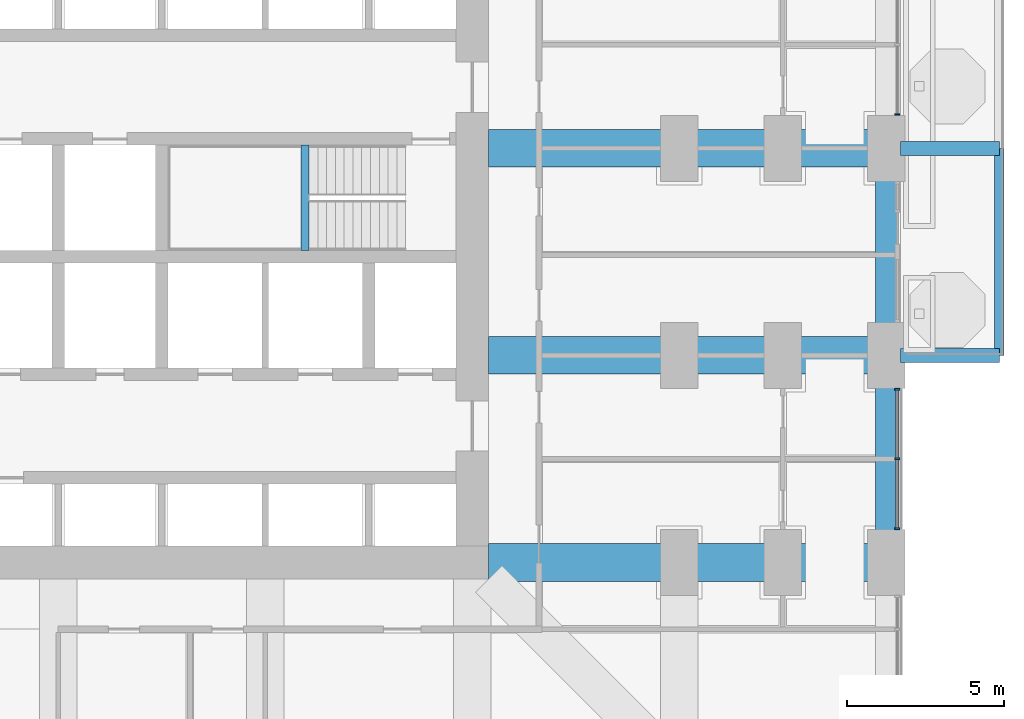
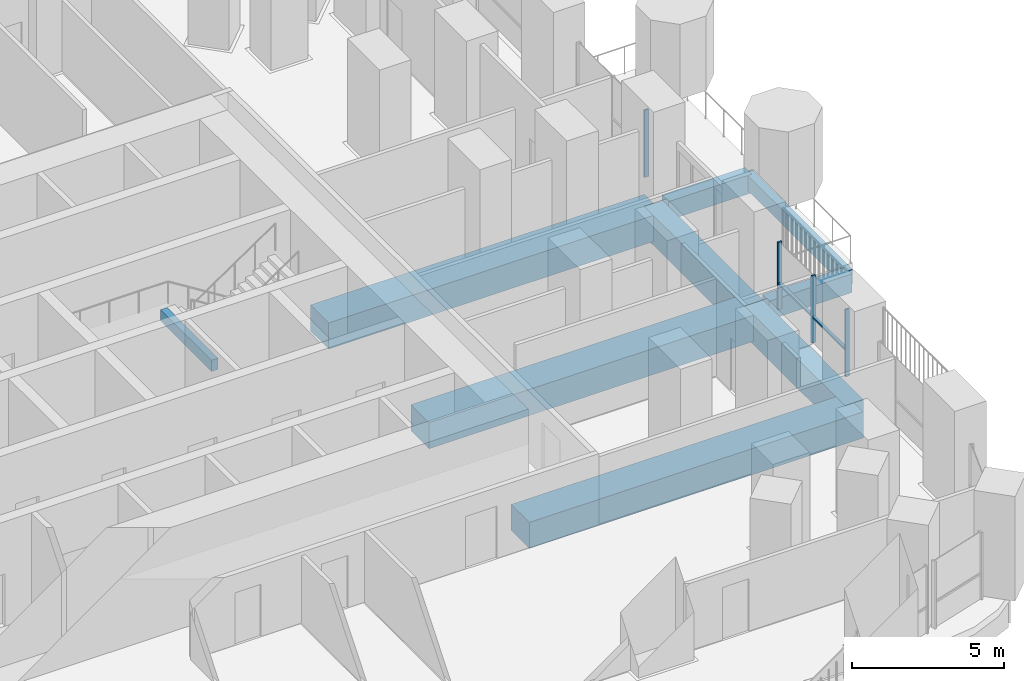
# One storey, part 5 of 26: 9 beams, 6 members, 2 elements without a shape of their own.
"""IFC4 building model written with IfcOpenShell, lengths in metres."""

import ifcopenshell
import ifcopenshell.guid

model = None  # the IFC model being written
_history = None  # IfcOwnerHistory: only IFC2X3 demands one
_inside = {}  # id of a spatial element -> (the spatial element, [elements in it])
_under = {}  # id of a project, library or spatial element -> (it, [spatial elements below it])
_declared = {}  # id of a project -> (the project, [libraries it declares])
_typed = {}  # id of a type object -> (the type object, [elements of that type])
_made_of = {}  # id of a material, layer set ... -> (it, [elements and type objects made of it])


def new_model(schema):
    """Start an empty IFC model of exactly this schema.

    Asked for "IFC4X3", IfcOpenShell would pick the latest addendum, in which some entities
    have other attributes; the version numbers below select the first issue.
    IFC2X3 requires an IfcOwnerHistory on every rooted entity: one is made here for all.
    """
    global model, _history
    if schema == "IFC4X3":
        model = ifcopenshell.file(schema_version=(4, 3, 0, 0))
    else:
        model = ifcopenshell.file(schema=schema)
    _inside.clear()
    _under.clear()
    _declared.clear()
    _typed.clear()
    _made_of.clear()
    _history = None
    if model.schema == "IFC2X3":
        org = make("IfcOrganization", Name="unknown")
        user = make(
            "IfcPersonAndOrganization",
            ThePerson=make("IfcPerson", FamilyName="unknown"),
            TheOrganization=org,
        )
        app = make(
            "IfcApplication",
            ApplicationDeveloper=org,
            Version="unknown",
            ApplicationFullName="unknown",
            ApplicationIdentifier="unknown",
        )
        _history = make(
            "IfcOwnerHistory",
            OwningUser=user,
            OwningApplication=app,
            ChangeAction="ADDED",
            CreationDate=0,
        )
    return model


def make(cls, **values):
    """One entity of the class cls with the attributes given. An attribute that is None is left unset."""
    return model.create_entity(
        cls, **{name: value for name, value in values.items() if value is not None}
    )


def rooted(cls, **values):
    """An entity with a GlobalId (a new one), such as an element, a storey or a relation."""
    return make(cls, GlobalId=ifcopenshell.guid.new(), OwnerHistory=_history, **values)


def si_unit(unit_type, name, prefix=None):
    """IfcSIUnit, for example si_unit("LENGTHUNIT", "METRE", prefix="MILLI")."""
    return make("IfcSIUnit", UnitType=unit_type, Prefix=prefix, Name=name)


def assignment(units):
    """IfcUnitAssignment: the units of a project."""
    return None if units is None else make("IfcUnitAssignment", Units=units)


def point(xyz):
    """IfcCartesianPoint."""
    return None if xyz is None else make("IfcCartesianPoint", Coordinates=xyz)


def direction(xyz):
    """IfcDirection."""
    return None if xyz is None else make("IfcDirection", DirectionRatios=xyz)


def frame(location, z_axis=None, x_axis=None):
    """IfcAxis2Placement3D, a coordinate frame: its origin and axes. An axis left out is left unset."""
    return make(
        "IfcAxis2Placement3D",
        Location=point(location),
        Axis=direction(z_axis),
        RefDirection=direction(x_axis),
    )


def frame_2d(location, x_axis=None):
    """IfcAxis2Placement2D, a coordinate frame in the plane: its origin and x axis."""
    return make(
        "IfcAxis2Placement2D", Location=point(location), RefDirection=direction(x_axis)
    )


def origin():
    """The frame at (0, 0, 0) with its axes left unset."""
    return frame((0.0, 0.0, 0.0))


def origin_2d():
    """The frame at (0, 0) in the plane with its x axis left unset."""
    return frame_2d((0.0, 0.0))


def place(relative_to, where):
    """IfcLocalPlacement: puts the frame where relative to a parent placement (None: the world)."""
    return make(
        "IfcLocalPlacement", PlacementRelTo=relative_to, RelativePlacement=where
    )


def context(
    kind, dimensions, precision=None, world=None, true_north=None, identifier=None
):
    """IfcGeometricRepresentationContext, for example the 3D "Model" context."""
    return make(
        "IfcGeometricRepresentationContext",
        ContextIdentifier=identifier,
        ContextType=kind,
        CoordinateSpaceDimension=dimensions,
        Precision=precision,
        WorldCoordinateSystem=world,
        TrueNorth=true_north,
    )


def subcontext(parent, identifier, kind, view, scale=None):
    """IfcGeometricRepresentationSubContext, for example "Body" below "Model"."""
    return make(
        "IfcGeometricRepresentationSubContext",
        ContextIdentifier=identifier,
        ContextType=kind,
        ParentContext=parent,
        TargetScale=scale,
        TargetView=view,
    )


def project(units=None, contexts=None):
    """IfcProject with its units and contexts."""
    return rooted(
        "IfcProject",
        Name="project",
        RepresentationContexts=contexts,
        UnitsInContext=assignment(units),
    )


def spatial(cls, under=None, at=None, **own):
    """A site, building, storey or space (cls), placed at a placement, below another one or the project."""
    s = rooted(cls, ObjectPlacement=at, **own)
    if under is not None:
        _under.setdefault(under.id(), (under, []))[1].append(s)
    return s


def profile(cls, at=None, kind="AREA", **sizes):
    """A parametric profile (cls). Its sizes go by their IFC names, for example OverallWidth=200.0."""
    return make(cls, ProfileType=kind, Position=at, **sizes)


def rectangle(**sizes):
    """IfcRectangleProfileDef."""
    return profile("IfcRectangleProfileDef", **sizes)


def extrude(swept, where, along, depth):
    """IfcExtrudedAreaSolid: the profile swept, set in the frame where, extruded along a direction by depth."""
    return make(
        "IfcExtrudedAreaSolid",
        SweptArea=swept,
        Position=where,
        ExtrudedDirection=direction(along),
        Depth=depth,
    )


def shape(context_of_items, identifier, shape_type, items):
    """IfcShapeRepresentation: the items that make up one representation, for example the "Body"."""
    return make(
        "IfcShapeRepresentation",
        ContextOfItems=context_of_items,
        RepresentationIdentifier=identifier,
        RepresentationType=shape_type,
        Items=items,
    )


def material(Name=None, Category=None):
    """IfcMaterial."""
    return make("IfcMaterial", Name=Name, Category=Category)


def material_profile(
    of_material, cross_section, Name=None, Category=None, Priority=None
):
    """IfcMaterialProfile: a cross section and its material."""
    return make(
        "IfcMaterialProfile",
        Name=Name,
        Material=of_material,
        Profile=cross_section,
        Priority=Priority,
        Category=Category,
    )


def profile_set(profiles, Name=None, composite=None):
    """IfcMaterialProfileSet."""
    return make(
        "IfcMaterialProfileSet",
        Name=Name,
        MaterialProfiles=profiles,
        CompositeProfile=composite,
    )


def made_of(thing, what):
    """Note that an element or type object is made of a material, layer set ...; save() writes the relation."""
    if what is not None:
        _made_of.setdefault(what.id(), (what, []))[1].append(thing)
    return thing


def type_object(cls, material=None, **own):
    """A type object (cls), such as IfcWallType, which elements share."""
    return made_of(rooted(cls, **own), material)


def element(
    cls,
    number,
    at=None,
    inside=None,
    cuts=None,
    type_object=None,
    material=None,
    context=None,
    identifier="Body",
    shape_type=None,
    held_by="IfcProductDefinitionShape",
    body=None,
    shapes=None,
    **own,
):
    """One element of the class cls, such as IfcWall. Its Tag is "e" and its number.

    at: its placement. inside: the storey or other place that contains it. cuts: it is an
    opening in that element (IfcRelVoidsElement). A single representation is given by context,
    identifier, shape_type and body (its items); several are given by shapes. held_by: the class
    of the entity that holds the representations. save() writes the other relations.
    """
    e = rooted(cls, Tag="e%d" % number, ObjectPlacement=at, **own)
    if body is not None:
        shapes = [shape(context, identifier, shape_type, body)]
    if shapes is not None:
        e.Representation = make(held_by, Representations=shapes)
    if inside is not None:
        _inside.setdefault(inside.id(), (inside, []))[1].append(e)
    if cuts is not None:
        rooted(
            "IfcRelVoidsElement", RelatingBuildingElement=cuts, RelatedOpeningElement=e
        )
    if type_object is not None:
        _typed.setdefault(type_object.id(), (type_object, []))[1].append(e)
    return made_of(e, material)


def aggregate(whole, parts):
    """IfcRelAggregates: a whole, such as a stair, and the parts it consists of."""
    return rooted("IfcRelAggregates", RelatingObject=whole, RelatedObjects=parts)


def save(model, path):
    """Write the relations noted so far, then the file.

    IfcRelAggregates (storeys below a building ...), IfcRelContainedInSpatialStructure (elements
    in a storey), IfcRelDefinesByType, IfcRelAssociatesMaterial and IfcRelDeclares: one each for
    every whole, place, type object, material and project.
    """
    for whole, parts in _under.values():
        aggregate(whole, parts)
    for where, things in _inside.values():
        rooted(
            "IfcRelContainedInSpatialStructure",
            RelatedElements=things,
            RelatingStructure=where,
        )
    for kind, things in _typed.values():
        rooted("IfcRelDefinesByType", RelatedObjects=things, RelatingType=kind)
    for what, things in _made_of.values():
        rooted("IfcRelAssociatesMaterial", RelatedObjects=things, RelatingMaterial=what)
    for by, libraries in _declared.values():
        rooted("IfcRelDeclares", RelatingContext=by, RelatedDefinitions=libraries)
    model.write(path)


model = new_model("IFC4")

# Units and contexts
model_context = context("Model", 3, precision=1e-05, world=origin(), true_north=direction((0.0, 1.0)))
body_context = subcontext(model_context, "Body", "Model", "MODEL_VIEW")
ifc_project = project(units=[si_unit("LENGTHUNIT", "METRE"), si_unit("AREAUNIT", "SQUARE_METRE"), si_unit("VOLUMEUNIT", "CUBIC_METRE"), si_unit("PLANEANGLEUNIT", "RADIAN"), si_unit("MASSUNIT", "GRAM", prefix="KILO")], contexts=[model_context])

# Site, building, storey
site_placement = place(None, origin())
site = spatial("IfcSite", under=ifc_project, at=site_placement, CompositionType="ELEMENT")
building_placement = place(site_placement, origin())
building = spatial("IfcBuilding", under=site, at=building_placement, Name="Cobogo Forest Laboratory Tower", CompositionType="ELEMENT")
storey_placement = place(building_placement, frame((0.0, 0.0, 50.699951171875)))
storey = spatial("IfcBuildingStorey", under=building, at=storey_placement, Name="L11", CompositionType="ELEMENT", Elevation=50.699951171875)

# Beams
ifc_material_1 = material(Name="Concrete HA-40 (C40/50)", Category="concrete")
ifc_material_profile_1 = material_profile(ifc_material_1, rectangle(XDim=0.449951171875, YDim=0.75, at=origin_2d()), Name="RC 450x750")
ifc_profile_set_1 = profile_set([ifc_material_profile_1], Name="Concrete HA-40 (C40/50)")
beam_type_1 = type_object("IfcBeamType", Name="Balcony cantilever beam 450x750", PredefinedType="BEAM", material=ifc_profile_set_1)
for number, where, z_axis, x_axis, name in (
    (1, (53.25, 19.800048828125, -0.625), (1.0, 0.0, 0.0), (0.0, 1.0, 0.0), "CB1 BAL-E1-C1 L11"),
    (2, (53.25, 26.39990234375, -0.625), (1.0, 0.0, 0.0), (0.0, 1.0, 0.0), "CB1 BAL-E1-C2 L11"),
):
    element("IfcBeam", number, at=place(storey_placement, frame(where, z_axis=z_axis, x_axis=x_axis)), inside=storey, type_object=beam_type_1, Name=name, PredefinedType="BEAM", context=body_context, shape_type="SweptSolid", body=[
        extrude(rectangle(XDim=0.449951171875, YDim=0.75, at=origin_2d()), origin(), (0.0, 0.0, 1.0), 3.14990234375),
    ])
ifc_material_profile_2 = material_profile(ifc_material_1, rectangle(XDim=0.300048828125, YDim=0.60009765625, at=origin_2d()), Name="RC 300x600")
ifc_profile_set_2 = profile_set([ifc_material_profile_2], Name="Concrete HA-40 (C40/50)")
beam_type_2 = type_object("IfcBeamType", Name="Balcony edge beam 300x600", PredefinedType="BEAM", material=ifc_profile_set_2)
beam_1_placement = place(storey_placement, frame((56.39990234375, 19.800048828125, -0.550048828125), z_axis=(0.0, 1.0, 0.0), x_axis=(-1.0, 0.0, 0.0)))
element("IfcBeam", 3, at=beam_1_placement, inside=storey, type_object=beam_type_2, Name="BB1 BAL-E1-T1 L11", PredefinedType="BEAM", context=body_context, shape_type="SweptSolid", body=[
    extrude(rectangle(XDim=0.300048828125, YDim=0.60009765625, at=origin_2d()), origin(), (0.0, 0.0, 1.0), 6.599853515625),
])
ifc_material_profile_3 = material_profile(ifc_material_1, rectangle(XDim=0.25, YDim=0.449951171875, at=origin_2d()), Name="RC 250x450")
ifc_profile_set_3 = profile_set([ifc_material_profile_3], Name="Concrete HA-40 (C40/50)")
beam_type_3 = type_object("IfcBeamType", Name="LB1 landing beam 250x450", PredefinedType="BEAM", material=ifc_profile_set_3)
beam_2_placement = place(storey_placement, frame((34.27001953125, 23.14990234375, 1.675048828125), z_axis=(0.0, 1.0, 0.0), x_axis=(-1.0, 0.0, 0.0)))
element("IfcBeam", 4, at=beam_2_placement, inside=storey, type_object=beam_type_3, Name="Landing beam ST2 L11", PredefinedType="BEAM", context=body_context, shape_type="SweptSolid", body=[
    extrude(rectangle(XDim=0.25, YDim=0.449951171875, at=origin_2d()), origin(), (0.0, 0.0, 1.0), 3.35009765625),
])
ifc_material_profile_4 = material_profile(ifc_material_1, rectangle(XDim=1.199951171875, YDim=1.050048828125, at=origin_2d()), Name="RC 1200x1050")
ifc_profile_set_4 = profile_set([ifc_material_profile_4], Name="Concrete HA-40 (C40/50)")
beam_type_4 = type_object("IfcBeamType", Name="Laboratory floor wide beam 1200x1050", PredefinedType="BEAM", material=ifc_profile_set_4)
for number, where, z_axis, x_axis, name in (
    (5, (40.125, 13.199951171875, -0.824951171875), (1.0, 0.0, 0.0), (0.0, 1.0, 0.0), "RB1 R-C-E L11"),
    (6, (40.125, 19.800048828125, -0.824951171875), (1.0, 0.0, 0.0), (0.0, 1.0, 0.0), "RB1 R-D-E L11"),
    (7, (40.125, 26.39990234375, -0.824951171875), (1.0, 0.0, 0.0), (0.0, 1.0, 0.0), "RB1 R-E-E L11"),
):
    element("IfcBeam", number, at=place(storey_placement, frame(where, z_axis=z_axis, x_axis=x_axis)), inside=storey, type_object=beam_type_4, Name=name, PredefinedType="BEAM", context=body_context, shape_type="SweptSolid", body=[
        extrude(rectangle(XDim=1.199951171875, YDim=1.050048828125, at=origin_2d()), origin(), (0.0, 0.0, 1.0), 12.675048828125),
    ])

# Curtain wall, members
ifc_material_2 = material(Name="Aluminium curtain wall", Category="aluminium")
curtain_wall_type = type_object("IfcCurtainWallType", Name="CW-1 unitised curtain wall, clear glazing, laboratory floors zones A and B", PredefinedType="USERDEFINED", material=ifc_material_2)
curtain_wall_1_placement = place(storey_placement, origin())
curtain_wall_1 = element("IfcCurtainWall", 8, at=curtain_wall_1_placement, inside=storey, type_object=curtain_wall_type, Name="Curtain wall 11 L11", ObjectType="UNITISED CURTAIN WALL", PredefinedType="USERDEFINED")
ifc_material_3 = material(Name="Aluminium mullion", Category="aluminium")
ifc_material_profile_5 = material_profile(ifc_material_3, rectangle(XDim=0.06005859375, YDim=0.159912109375, at=origin_2d()), Name="AL 60x160")
ifc_profile_set_5 = profile_set([ifc_material_profile_5], Name="Aluminium mullion")
member_type_1 = type_object("IfcMemberType", Name="MU-1 aluminium mullion 60x160", PredefinedType="MULLION", material=ifc_profile_set_5)
member_1_placement = place(storey_placement, frame((53.14990234375, 14.280029296875, 0.0), z_axis=(0.0, 0.0, 1.0), x_axis=(0.0, 1.0, 0.0)))
member_1 = element("IfcMember", 9, at=member_1_placement, type_object=member_type_1, Name="CW-1 mullion 1", PredefinedType="MULLION", context=body_context, shape_type="SweptSolid", body=[
    extrude(rectangle(XDim=0.06005859375, YDim=0.159912109375, at=origin_2d()), origin(), (0.0, 0.0, 1.0), 2.699951171875),
])
member_2_placement = place(storey_placement, frame((53.14990234375, 16.5, 0.0), z_axis=(0.0, 0.0, 1.0), x_axis=(0.0, 1.0, 0.0)))
member_2 = element("IfcMember", 10, at=member_2_placement, type_object=member_type_1, Name="CW-1 mullion 2", PredefinedType="MULLION", context=body_context, shape_type="SweptSolid", body=[
    extrude(rectangle(XDim=0.06005859375, YDim=0.159912109375, at=origin_2d()), origin(), (0.0, 0.0, 1.0), 2.699951171875),
])
member_3_placement = place(storey_placement, frame((53.14990234375, 18.719970703125, 0.0), z_axis=(0.0, 0.0, 1.0), x_axis=(0.0, 1.0, 0.0)))
member_3 = element("IfcMember", 11, at=member_3_placement, type_object=member_type_1, Name="CW-1 mullion 3", PredefinedType="MULLION", context=body_context, shape_type="SweptSolid", body=[
    extrude(rectangle(XDim=0.06005859375, YDim=0.159912109375, at=origin_2d()), origin(), (0.0, 0.0, 1.0), 2.699951171875),
])

# Curtain wall, member
curtain_wall_2_placement = place(storey_placement, origin())
curtain_wall_2 = element("IfcCurtainWall", 12, at=curtain_wall_2_placement, inside=storey, type_object=curtain_wall_type, Name="Curtain wall 13 L11", ObjectType="UNITISED CURTAIN WALL", PredefinedType="USERDEFINED")
member_4_placement = place(storey_placement, frame((53.14990234375, 27.47998046875, 0.0), z_axis=(0.0, 0.0, 1.0), x_axis=(0.0, 1.0, 0.0)))
member_4 = element("IfcMember", 13, at=member_4_placement, type_object=member_type_1, Name="CW-1 mullion 1", PredefinedType="MULLION", context=body_context, shape_type="SweptSolid", body=[
    extrude(rectangle(XDim=0.06005859375, YDim=0.159912109375, at=origin_2d()), origin(), (0.0, 0.0, 1.0), 2.699951171875),
])
aggregate(curtain_wall_2, [member_4])

# Beams
ifc_material_profile_6 = material_profile(ifc_material_1, rectangle(XDim=0.699951171875, YDim=1.199951171875, at=origin_2d()), Name="RC 700x1200")
ifc_profile_set_6 = profile_set([ifc_material_profile_6], Name="Concrete HA-40 (C40/50)")
beam_type_5 = type_object("IfcBeamType", Name="Perimeter edge beam 700x1200", PredefinedType="BEAM", material=ifc_profile_set_6)
beam_3_placement = place(storey_placement, frame((52.800048828125, 13.199951171875, -0.89990234375), z_axis=(0.0, 1.0, 0.0), x_axis=(-1.0, 0.0, 0.0)))
element("IfcBeam", 14, at=beam_3_placement, inside=storey, type_object=beam_type_5, Name="EB1 E-E2 L11", PredefinedType="BEAM", context=body_context, shape_type="SweptSolid", body=[
    extrude(rectangle(XDim=0.699951171875, YDim=1.199951171875, at=origin_2d()), origin(), (0.0, 0.0, 1.0), 6.60009765625),
])
beam_4_placement = place(storey_placement, frame((52.800048828125, 19.800048828125, -0.89990234375), z_axis=(0.0, 1.0, 0.0), x_axis=(-1.0, 0.0, 0.0)))
element("IfcBeam", 15, at=beam_4_placement, inside=storey, type_object=beam_type_5, Name="EB1 E-E3 L11", PredefinedType="BEAM", context=body_context, shape_type="SweptSolid", body=[
    extrude(rectangle(XDim=0.699951171875, YDim=1.199951171875, at=origin_2d()), origin(), (0.0, 0.0, 1.0), 6.599853515625),
])

# Member
ifc_material_4 = material(Name="Aluminium transom", Category="aluminium")
ifc_material_profile_7 = material_profile(ifc_material_4, rectangle(XDim=0.1201171875, YDim=0.06005859375, at=origin_2d()), Name="AL 60x120")
ifc_profile_set_7 = profile_set([ifc_material_profile_7], Name="Aluminium transom")
member_type_2 = type_object("IfcMemberType", Name="TR-1 aluminium transom 60x120", PredefinedType="USERDEFINED", material=ifc_profile_set_7)
member_5_placement = place(storey_placement, frame((53.14990234375, 14.31005859375, 1.050048828125), z_axis=(0.0, 1.0, 0.0), x_axis=(-1.0, 0.0, 0.0)))
member_5 = element("IfcMember", 16, at=member_5_placement, type_object=member_type_2, Name="CW-1 transom 1.1", ObjectType="TRANSOM", PredefinedType="USERDEFINED", context=body_context, shape_type="SweptSolid", body=[
    extrude(rectangle(XDim=0.1201171875, YDim=0.06005859375, at=origin_2d()), origin(), (0.0, 0.0, 1.0), 2.159912109375),
])

member_6_placement = place(storey_placement, frame((53.14990234375, 16.530029296875, 1.050048828125), z_axis=(0.0, 1.0, 0.0), x_axis=(-1.0, 0.0, 0.0)))
member_6 = element("IfcMember", 17, at=member_6_placement, type_object=member_type_2, Name="CW-1 transom 2.1", ObjectType="TRANSOM", PredefinedType="USERDEFINED", context=body_context, shape_type="SweptSolid", body=[
    extrude(rectangle(XDim=0.1201171875, YDim=0.06005859375, at=origin_2d()), origin(), (0.0, 0.0, 1.0), 2.159912109375),
])

aggregate(curtain_wall_1, [member_1, member_2, member_3, member_5, member_6])

save(model, "model.ifc")
